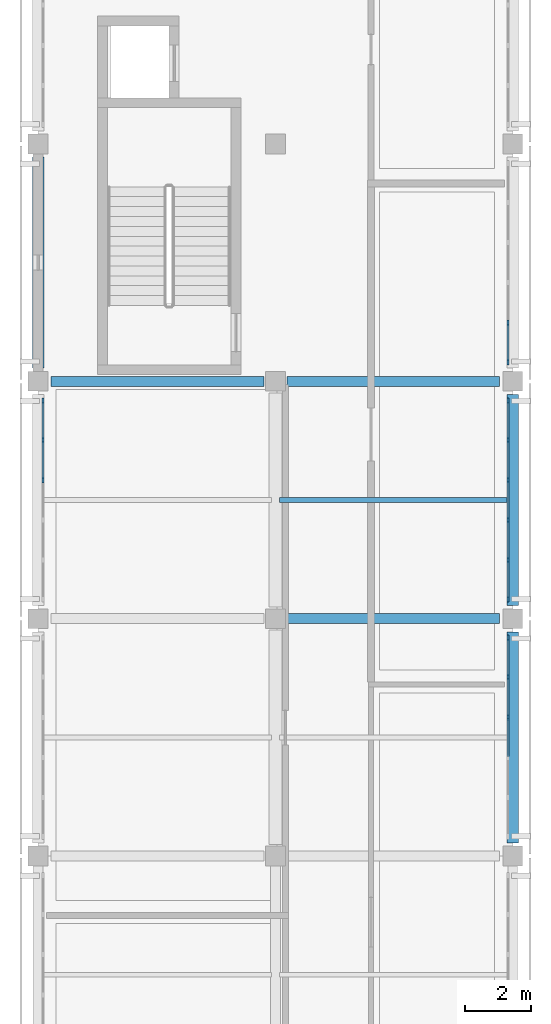
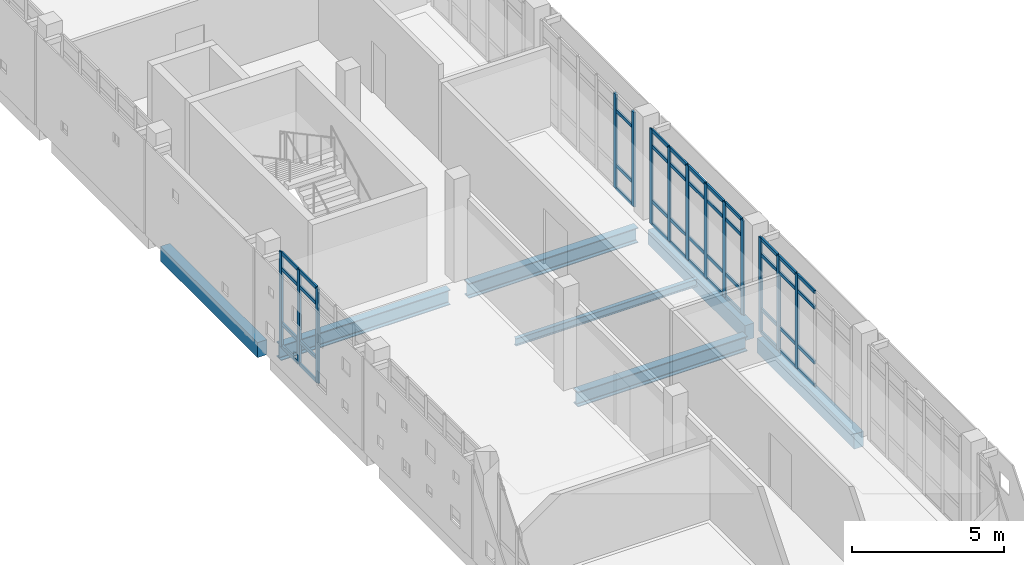
# One storey, part 7 of 21: 57 members, 7 beams, 4 elements without a shape of their own.
"""IFC4 building model written with IfcOpenShell, lengths in metres."""

import ifcopenshell
import ifcopenshell.guid

model = None  # the IFC model being written
_history = None  # IfcOwnerHistory: only IFC2X3 demands one
_inside = {}  # id of a spatial element -> (the spatial element, [elements in it])
_under = {}  # id of a project, library or spatial element -> (it, [spatial elements below it])
_declared = {}  # id of a project -> (the project, [libraries it declares])
_typed = {}  # id of a type object -> (the type object, [elements of that type])
_made_of = {}  # id of a material, layer set ... -> (it, [elements and type objects made of it])


def new_model(schema):
    """Start an empty IFC model of exactly this schema.

    Asked for "IFC4X3", IfcOpenShell would pick the latest addendum, in which some entities
    have other attributes; the version numbers below select the first issue.
    IFC2X3 requires an IfcOwnerHistory on every rooted entity: one is made here for all.
    """
    global model, _history
    if schema == "IFC4X3":
        model = ifcopenshell.file(schema_version=(4, 3, 0, 0))
    else:
        model = ifcopenshell.file(schema=schema)
    _inside.clear()
    _under.clear()
    _declared.clear()
    _typed.clear()
    _made_of.clear()
    _history = None
    if model.schema == "IFC2X3":
        org = make("IfcOrganization", Name="unknown")
        user = make(
            "IfcPersonAndOrganization",
            ThePerson=make("IfcPerson", FamilyName="unknown"),
            TheOrganization=org,
        )
        app = make(
            "IfcApplication",
            ApplicationDeveloper=org,
            Version="unknown",
            ApplicationFullName="unknown",
            ApplicationIdentifier="unknown",
        )
        _history = make(
            "IfcOwnerHistory",
            OwningUser=user,
            OwningApplication=app,
            ChangeAction="ADDED",
            CreationDate=0,
        )
    return model


def make(cls, **values):
    """One entity of the class cls with the attributes given. An attribute that is None is left unset."""
    return model.create_entity(
        cls, **{name: value for name, value in values.items() if value is not None}
    )


def rooted(cls, **values):
    """An entity with a GlobalId (a new one), such as an element, a storey or a relation."""
    return make(cls, GlobalId=ifcopenshell.guid.new(), OwnerHistory=_history, **values)


def si_unit(unit_type, name, prefix=None):
    """IfcSIUnit, for example si_unit("LENGTHUNIT", "METRE", prefix="MILLI")."""
    return make("IfcSIUnit", UnitType=unit_type, Prefix=prefix, Name=name)


def assignment(units):
    """IfcUnitAssignment: the units of a project."""
    return None if units is None else make("IfcUnitAssignment", Units=units)


def point(xyz):
    """IfcCartesianPoint."""
    return None if xyz is None else make("IfcCartesianPoint", Coordinates=xyz)


def direction(xyz):
    """IfcDirection."""
    return None if xyz is None else make("IfcDirection", DirectionRatios=xyz)


def frame(location, z_axis=None, x_axis=None):
    """IfcAxis2Placement3D, a coordinate frame: its origin and axes. An axis left out is left unset."""
    return make(
        "IfcAxis2Placement3D",
        Location=point(location),
        Axis=direction(z_axis),
        RefDirection=direction(x_axis),
    )


def frame_2d(location, x_axis=None):
    """IfcAxis2Placement2D, a coordinate frame in the plane: its origin and x axis."""
    return make(
        "IfcAxis2Placement2D", Location=point(location), RefDirection=direction(x_axis)
    )


def origin():
    """The frame at (0, 0, 0) with its axes left unset."""
    return frame((0.0, 0.0, 0.0))


def origin_2d():
    """The frame at (0, 0) in the plane with its x axis left unset."""
    return frame_2d((0.0, 0.0))


def place(relative_to, where):
    """IfcLocalPlacement: puts the frame where relative to a parent placement (None: the world)."""
    return make(
        "IfcLocalPlacement", PlacementRelTo=relative_to, RelativePlacement=where
    )


def context(
    kind, dimensions, precision=None, world=None, true_north=None, identifier=None
):
    """IfcGeometricRepresentationContext, for example the 3D "Model" context."""
    return make(
        "IfcGeometricRepresentationContext",
        ContextIdentifier=identifier,
        ContextType=kind,
        CoordinateSpaceDimension=dimensions,
        Precision=precision,
        WorldCoordinateSystem=world,
        TrueNorth=true_north,
    )


def subcontext(parent, identifier, kind, view, scale=None):
    """IfcGeometricRepresentationSubContext, for example "Body" below "Model"."""
    return make(
        "IfcGeometricRepresentationSubContext",
        ContextIdentifier=identifier,
        ContextType=kind,
        ParentContext=parent,
        TargetScale=scale,
        TargetView=view,
    )


def project(units=None, contexts=None):
    """IfcProject with its units and contexts."""
    return rooted(
        "IfcProject",
        Name="project",
        RepresentationContexts=contexts,
        UnitsInContext=assignment(units),
    )


def spatial(cls, under=None, at=None, **own):
    """A site, building, storey or space (cls), placed at a placement, below another one or the project."""
    s = rooted(cls, ObjectPlacement=at, **own)
    if under is not None:
        _under.setdefault(under.id(), (under, []))[1].append(s)
    return s


def profile(cls, at=None, kind="AREA", **sizes):
    """A parametric profile (cls). Its sizes go by their IFC names, for example OverallWidth=200.0."""
    return make(cls, ProfileType=kind, Position=at, **sizes)


def rectangle(**sizes):
    """IfcRectangleProfileDef."""
    return profile("IfcRectangleProfileDef", **sizes)


def i_section(**sizes):
    """IfcIShapeProfileDef."""
    return profile("IfcIShapeProfileDef", **sizes)


def extrude(swept, where, along, depth):
    """IfcExtrudedAreaSolid: the profile swept, set in the frame where, extruded along a direction by depth."""
    return make(
        "IfcExtrudedAreaSolid",
        SweptArea=swept,
        Position=where,
        ExtrudedDirection=direction(along),
        Depth=depth,
    )


def shape(context_of_items, identifier, shape_type, items):
    """IfcShapeRepresentation: the items that make up one representation, for example the "Body"."""
    return make(
        "IfcShapeRepresentation",
        ContextOfItems=context_of_items,
        RepresentationIdentifier=identifier,
        RepresentationType=shape_type,
        Items=items,
    )


def material(Name=None, Category=None):
    """IfcMaterial."""
    return make("IfcMaterial", Name=Name, Category=Category)


def layer(
    of_material, thickness, ventilated=None, Name=None, Category=None, Priority=None
):
    """IfcMaterialLayer: one layer of a wall or slab, of a material (None: an air gap)."""
    return make(
        "IfcMaterialLayer",
        Material=of_material,
        LayerThickness=thickness,
        IsVentilated=ventilated,
        Name=Name,
        Category=Category,
        Priority=Priority,
    )


def layer_set(layers, Name=None):
    """IfcMaterialLayerSet."""
    return make("IfcMaterialLayerSet", MaterialLayers=layers, LayerSetName=Name)


def material_profile(
    of_material, cross_section, Name=None, Category=None, Priority=None
):
    """IfcMaterialProfile: a cross section and its material."""
    return make(
        "IfcMaterialProfile",
        Name=Name,
        Material=of_material,
        Profile=cross_section,
        Priority=Priority,
        Category=Category,
    )


def profile_set(profiles, Name=None, composite=None):
    """IfcMaterialProfileSet."""
    return make(
        "IfcMaterialProfileSet",
        Name=Name,
        MaterialProfiles=profiles,
        CompositeProfile=composite,
    )


def made_of(thing, what):
    """Note that an element or type object is made of a material, layer set ...; save() writes the relation."""
    if what is not None:
        _made_of.setdefault(what.id(), (what, []))[1].append(thing)
    return thing


def type_object(cls, material=None, **own):
    """A type object (cls), such as IfcWallType, which elements share."""
    return made_of(rooted(cls, **own), material)


def element(
    cls,
    number,
    at=None,
    inside=None,
    cuts=None,
    type_object=None,
    material=None,
    context=None,
    identifier="Body",
    shape_type=None,
    held_by="IfcProductDefinitionShape",
    body=None,
    shapes=None,
    **own,
):
    """One element of the class cls, such as IfcWall. Its Tag is "e" and its number.

    at: its placement. inside: the storey or other place that contains it. cuts: it is an
    opening in that element (IfcRelVoidsElement). A single representation is given by context,
    identifier, shape_type and body (its items); several are given by shapes. held_by: the class
    of the entity that holds the representations. save() writes the other relations.
    """
    e = rooted(cls, Tag="e%d" % number, ObjectPlacement=at, **own)
    if body is not None:
        shapes = [shape(context, identifier, shape_type, body)]
    if shapes is not None:
        e.Representation = make(held_by, Representations=shapes)
    if inside is not None:
        _inside.setdefault(inside.id(), (inside, []))[1].append(e)
    if cuts is not None:
        rooted(
            "IfcRelVoidsElement", RelatingBuildingElement=cuts, RelatedOpeningElement=e
        )
    if type_object is not None:
        _typed.setdefault(type_object.id(), (type_object, []))[1].append(e)
    return made_of(e, material)


def aggregate(whole, parts):
    """IfcRelAggregates: a whole, such as a stair, and the parts it consists of."""
    return rooted("IfcRelAggregates", RelatingObject=whole, RelatedObjects=parts)


def save(model, path):
    """Write the relations noted so far, then the file.

    IfcRelAggregates (storeys below a building ...), IfcRelContainedInSpatialStructure (elements
    in a storey), IfcRelDefinesByType, IfcRelAssociatesMaterial and IfcRelDeclares: one each for
    every whole, place, type object, material and project.
    """
    for whole, parts in _under.values():
        aggregate(whole, parts)
    for where, things in _inside.values():
        rooted(
            "IfcRelContainedInSpatialStructure",
            RelatedElements=things,
            RelatingStructure=where,
        )
    for kind, things in _typed.values():
        rooted("IfcRelDefinesByType", RelatedObjects=things, RelatingType=kind)
    for what, things in _made_of.values():
        rooted("IfcRelAssociatesMaterial", RelatedObjects=things, RelatingMaterial=what)
    for by, libraries in _declared.values():
        rooted("IfcRelDeclares", RelatingContext=by, RelatedDefinitions=libraries)
    model.write(path)


model = new_model("IFC4")

# Units and contexts
model_context = context("Model", 3, precision=1e-05, world=origin(), true_north=direction((0.0, 1.0)))
body_context = subcontext(model_context, "Body", "Model", "MODEL_VIEW")
ifc_project = project(units=[si_unit("LENGTHUNIT", "METRE"), si_unit("AREAUNIT", "SQUARE_METRE"), si_unit("VOLUMEUNIT", "CUBIC_METRE"), si_unit("PLANEANGLEUNIT", "RADIAN"), si_unit("MASSUNIT", "GRAM", prefix="KILO")], contexts=[model_context])

# Site, building, storey
site_placement = place(None, origin())
site = spatial("IfcSite", under=ifc_project, at=site_placement, CompositionType="ELEMENT")
building_placement = place(site_placement, origin())
building = spatial("IfcBuilding", under=site, at=building_placement, Name="Valkovuoma Quantum and Materials Research Institute", CompositionType="ELEMENT")
storey_placement = place(building_placement, frame((0.0, 0.0, 29.760009765625)))
storey = spatial("IfcBuildingStorey", under=building, at=storey_placement, Name="L07", CompositionType="ELEMENT", Elevation=29.760009765625)

# Beams
ifc_material_1 = material(Name="Steel S355J2", Category="steel")
ifc_material_profile_1 = material_profile(ifc_material_1, i_section(OverallWidth=0.300048828125, OverallDepth=0.60009765625, WebThickness=0.015380859375, FlangeThickness=0.030029296875, FilletRadius=0.027099609375, at=origin_2d()), Name="Steel S355J2")
ifc_profile_set_1 = profile_set([ifc_material_profile_1], Name="Steel S355J2")
beam_type_1 = type_object("IfcBeamType", Name="Beam-B-HEB600", PredefinedType="BEAM", material=ifc_profile_set_1)
beam_1_placement = place(storey_placement, frame((7.550048828125, 64.800048828125, -0.64990234375), z_axis=(1.0, 0.0, 0.0), x_axis=(0.0, 1.0, 0.0)))
element("IfcBeam", 1, at=beam_1_placement, inside=storey, type_object=beam_type_1, Name="L07 beam X-2501", PredefinedType="BEAM", context=body_context, shape_type="SweptSolid", body=[
    extrude(i_section(OverallWidth=0.300048828125, OverallDepth=0.60009765625, WebThickness=0.015380859375, FlangeThickness=0.030029296875, FilletRadius=0.027099609375, at=origin_2d()), origin(), (0.0, 0.0, 1.0), 6.449951171875),
])
beam_2_placement = place(storey_placement, frame((0.39990234375, 72.0, -0.64990234375), z_axis=(1.0, 0.0, 0.0), x_axis=(0.0, 1.0, 0.0)))
element("IfcBeam", 2, at=beam_2_placement, inside=storey, type_object=beam_type_1, Name="L07 beam X-2502", PredefinedType="BEAM", context=body_context, shape_type="SweptSolid", body=[
    extrude(i_section(OverallWidth=0.300048828125, OverallDepth=0.60009765625, WebThickness=0.015380859375, FlangeThickness=0.030029296875, FilletRadius=0.027099609375, at=origin_2d()), origin(), (0.0, 0.0, 1.0), 6.4501953125),
])
beam_3_placement = place(storey_placement, frame((7.550048828125, 72.0, -0.64990234375), z_axis=(1.0, 0.0, 0.0), x_axis=(0.0, 1.0, 0.0)))
element("IfcBeam", 3, at=beam_3_placement, inside=storey, type_object=beam_type_1, Name="L07 beam X-2503", PredefinedType="BEAM", context=body_context, shape_type="SweptSolid", body=[
    extrude(i_section(OverallWidth=0.300048828125, OverallDepth=0.60009765625, WebThickness=0.015380859375, FlangeThickness=0.030029296875, FilletRadius=0.027099609375, at=origin_2d()), origin(), (0.0, 0.0, 1.0), 6.449951171875),
])
ifc_material_2 = material(Name="Steel S355J2", Category="steel")
ifc_material_profile_2 = material_profile(ifc_material_2, i_section(OverallWidth=0.14990234375, OverallDepth=0.300048828125, WebThickness=0.007080078125, FlangeThickness=0.0107421875, FilletRadius=0.014892578125, at=origin_2d()), Name="Steel S355J2")
ifc_profile_set_2 = profile_set([ifc_material_profile_2], Name="Steel S355J2")
beam_type_2 = type_object("IfcBeamType", Name="Beam-B-JST300", PredefinedType="JOIST", material=ifc_profile_set_2)
beam_4_placement = place(storey_placement, frame((7.320068359375, 68.39990234375, -0.5), z_axis=(1.0, 0.0, 0.0), x_axis=(0.0, 1.0, 0.0)))
element("IfcBeam", 4, at=beam_4_placement, inside=storey, type_object=beam_type_2, Name="L07 floor joist 2529", PredefinedType="JOIST", context=body_context, shape_type="SweptSolid", body=[
    extrude(i_section(OverallWidth=0.14990234375, OverallDepth=0.300048828125, WebThickness=0.007080078125, FlangeThickness=0.0107421875, FilletRadius=0.014892578125, at=origin_2d()), origin(), (0.0, 0.0, 1.0), 6.9599609375),
])
ifc_material_3 = material(Name="Concrete C40/50", Category="concrete")
ifc_material_profile_3 = material_profile(ifc_material_3, rectangle(XDim=0.35009765625, YDim=0.60009765625, at=origin_2d()), Name="Concrete C40/50")
ifc_profile_set_3 = profile_set([ifc_material_profile_3], Name="Concrete C40/50")
beam_type_3 = type_object("IfcBeamType", Name="Beam-B-SPN600", PredefinedType="SPANDREL", material=ifc_profile_set_3)
beam_5_placement = place(storey_placement, frame((0.0, 72.39990234375, -0.64990234375), z_axis=(0.0, 1.0, 0.0), x_axis=(-1.0, 0.0, 0.0)))
element("IfcBeam", 5, at=beam_5_placement, inside=storey, type_object=beam_type_3, Name="L07 beam Y-2510", PredefinedType="SPANDREL", context=body_context, shape_type="SweptSolid", body=[
    extrude(rectangle(XDim=0.35009765625, YDim=0.60009765625, at=origin_2d()), origin(), (0.0, 0.0, 1.0), 6.400146484375),
])
beam_6_placement = place(storey_placement, frame((14.39990234375, 58.0, -0.64990234375), z_axis=(0.0, 1.0, 0.0), x_axis=(-1.0, 0.0, 0.0)))
element("IfcBeam", 6, at=beam_6_placement, inside=storey, type_object=beam_type_3, Name="L07 beam Y-2516", PredefinedType="SPANDREL", context=body_context, shape_type="SweptSolid", body=[
    extrude(rectangle(XDim=0.35009765625, YDim=0.60009765625, at=origin_2d()), origin(), (0.0, 0.0, 1.0), 6.39990234375),
])
beam_7_placement = place(storey_placement, frame((14.39990234375, 65.199951171875, -0.64990234375), z_axis=(0.0, 1.0, 0.0), x_axis=(-1.0, 0.0, 0.0)))
element("IfcBeam", 7, at=beam_7_placement, inside=storey, type_object=beam_type_3, Name="L07 beam Y-2517", PredefinedType="SPANDREL", context=body_context, shape_type="SweptSolid", body=[
    extrude(rectangle(XDim=0.35009765625, YDim=0.60009765625, at=origin_2d()), origin(), (0.0, 0.0, 1.0), 6.400146484375),
])

# Curtain wall, members
ifc_material_4 = material(Name="Thermally broken aluminium and triple low-E glazing", Category="aluminium")
ifc_layer = layer(ifc_material_4, 0.219970703125)
ifc_layer_set = layer_set([ifc_layer], Name="Thermally broken aluminium and triple low-E glazing")
curtain_wall_type = type_object("IfcCurtainWallType", Name="CW-CW-01", PredefinedType="NOTDEFINED", material=ifc_layer_set)
curtain_wall_1_placement = place(storey_placement, origin())
curtain_wall_1 = element("IfcCurtainWall", 8, at=curtain_wall_1_placement, inside=storey, type_object=curtain_wall_type, Name="L07 curtain wall 101", PredefinedType="NOTDEFINED")
ifc_material_5 = material(Name="Anodised aluminium 6060-T66", Category="aluminium")
ifc_material_profile_4 = material_profile(ifc_material_5, rectangle(XDim=0.06494140625, YDim=0.179931640625, at=origin_2d()), Name="Anodised aluminium 6060-T66")
ifc_profile_set_4 = profile_set([ifc_material_profile_4], Name="Anodised aluminium 6060-T66")
member_type_1 = type_object("IfcMemberType", Name="CWMull-CWM-01", PredefinedType="MULLION", material=ifc_profile_set_4)
member_1_placement = place(storey_placement, frame((14.25, 61.80859375, 0.0), z_axis=(0.0, 0.0, 1.0), x_axis=(-1.0, 0.0, 0.0)))
member_1 = element("IfcMember", 9, at=member_1_placement, type_object=member_type_1, Name="CW-01 mullion 4", PredefinedType="MULLION", context=body_context, shape_type="SweptSolid", body=[
    extrude(rectangle(XDim=0.06494140625, YDim=0.179931640625, at=origin_2d()), origin(), (0.0, 0.0, 1.0), 3.81005859375),
])
member_2_placement = place(storey_placement, frame((14.25, 63.025634765625, 0.0), z_axis=(0.0, 0.0, 1.0), x_axis=(-1.0, 0.0, 0.0)))
member_2 = element("IfcMember", 10, at=member_2_placement, type_object=member_type_1, Name="CW-01 mullion 5", PredefinedType="MULLION", context=body_context, shape_type="SweptSolid", body=[
    extrude(rectangle(XDim=0.06494140625, YDim=0.179931640625, at=origin_2d()), origin(), (0.0, 0.0, 1.0), 3.81005859375),
])
member_3_placement = place(storey_placement, frame((14.25, 64.21044921875, 0.0), z_axis=(0.0, 0.0, 1.0), x_axis=(-1.0, 0.0, 0.0)))
member_3 = element("IfcMember", 11, at=member_3_placement, type_object=member_type_1, Name="CW-01 mullion 6", PredefinedType="MULLION", context=body_context, shape_type="SweptSolid", body=[
    extrude(rectangle(XDim=0.06494140625, YDim=0.179931640625, at=origin_2d()), origin(), (0.0, 0.0, 1.0), 3.81005859375),
])

curtain_wall_2_placement = place(storey_placement, origin())
curtain_wall_2 = element("IfcCurtainWall", 12, at=curtain_wall_2_placement, inside=storey, type_object=curtain_wall_type, Name="L07 curtain wall 102", PredefinedType="NOTDEFINED")
member_4_placement = place(storey_placement, frame((0.14990234375, 69.008544921875, 0.0), z_axis=(0.0, 0.0, 1.0), x_axis=(-1.0, 0.0, 0.0)))
member_4 = element("IfcMember", 13, at=member_4_placement, type_object=member_type_1, Name="CW-01 mullion 4", PredefinedType="MULLION", context=body_context, shape_type="SweptSolid", body=[
    extrude(rectangle(XDim=0.06494140625, YDim=0.179931640625, at=origin_2d()), origin(), (0.0, 0.0, 1.0), 3.81005859375),
])
member_5_placement = place(storey_placement, frame((0.14990234375, 70.225830078125, 0.0), z_axis=(0.0, 0.0, 1.0), x_axis=(-1.0, 0.0, 0.0)))
member_5 = element("IfcMember", 14, at=member_5_placement, type_object=member_type_1, Name="CW-01 mullion 5", PredefinedType="MULLION", context=body_context, shape_type="SweptSolid", body=[
    extrude(rectangle(XDim=0.06494140625, YDim=0.179931640625, at=origin_2d()), origin(), (0.0, 0.0, 1.0), 3.81005859375),
])
member_6_placement = place(storey_placement, frame((0.14990234375, 71.410400390625, 0.0), z_axis=(0.0, 0.0, 1.0), x_axis=(-1.0, 0.0, 0.0)))
member_6 = element("IfcMember", 15, at=member_6_placement, type_object=member_type_1, Name="CW-01 mullion 6", PredefinedType="MULLION", context=body_context, shape_type="SweptSolid", body=[
    extrude(rectangle(XDim=0.06494140625, YDim=0.179931640625, at=origin_2d()), origin(), (0.0, 0.0, 1.0), 3.81005859375),
])

curtain_wall_3_placement = place(storey_placement, origin())
curtain_wall_3 = element("IfcCurtainWall", 16, at=curtain_wall_3_placement, inside=storey, type_object=curtain_wall_type, Name="L07 curtain wall 103", PredefinedType="NOTDEFINED")
member_7_placement = place(storey_placement, frame((14.25, 65.3896484375, 0.0), z_axis=(0.0, 0.0, 1.0), x_axis=(-1.0, 0.0, 0.0)))
member_7 = element("IfcMember", 17, at=member_7_placement, type_object=member_type_1, Name="CW-01 mullion 1", PredefinedType="MULLION", context=body_context, shape_type="SweptSolid", body=[
    extrude(rectangle(XDim=0.06494140625, YDim=0.179931640625, at=origin_2d()), origin(), (0.0, 0.0, 1.0), 3.81005859375),
])
member_8_placement = place(storey_placement, frame((14.25, 66.57421875, 0.0), z_axis=(0.0, 0.0, 1.0), x_axis=(-1.0, 0.0, 0.0)))
member_8 = element("IfcMember", 18, at=member_8_placement, type_object=member_type_1, Name="CW-01 mullion 2", PredefinedType="MULLION", context=body_context, shape_type="SweptSolid", body=[
    extrude(rectangle(XDim=0.06494140625, YDim=0.179931640625, at=origin_2d()), origin(), (0.0, 0.0, 1.0), 3.81005859375),
])
member_9_placement = place(storey_placement, frame((14.25, 67.79150390625, 0.0), z_axis=(0.0, 0.0, 1.0), x_axis=(-1.0, 0.0, 0.0)))
member_9 = element("IfcMember", 19, at=member_9_placement, type_object=member_type_1, Name="CW-01 mullion 3", PredefinedType="MULLION", context=body_context, shape_type="SweptSolid", body=[
    extrude(rectangle(XDim=0.06494140625, YDim=0.179931640625, at=origin_2d()), origin(), (0.0, 0.0, 1.0), 3.81005859375),
])
member_10_placement = place(storey_placement, frame((14.25, 69.008544921875, 0.0), z_axis=(0.0, 0.0, 1.0), x_axis=(-1.0, 0.0, 0.0)))
member_10 = element("IfcMember", 20, at=member_10_placement, type_object=member_type_1, Name="CW-01 mullion 4", PredefinedType="MULLION", context=body_context, shape_type="SweptSolid", body=[
    extrude(rectangle(XDim=0.06494140625, YDim=0.179931640625, at=origin_2d()), origin(), (0.0, 0.0, 1.0), 3.81005859375),
])
member_11_placement = place(storey_placement, frame((14.25, 70.225830078125, 0.0), z_axis=(0.0, 0.0, 1.0), x_axis=(-1.0, 0.0, 0.0)))
member_11 = element("IfcMember", 21, at=member_11_placement, type_object=member_type_1, Name="CW-01 mullion 5", PredefinedType="MULLION", context=body_context, shape_type="SweptSolid", body=[
    extrude(rectangle(XDim=0.06494140625, YDim=0.179931640625, at=origin_2d()), origin(), (0.0, 0.0, 1.0), 3.81005859375),
])
member_12_placement = place(storey_placement, frame((14.25, 71.410400390625, 0.0), z_axis=(0.0, 0.0, 1.0), x_axis=(-1.0, 0.0, 0.0)))
member_12 = element("IfcMember", 22, at=member_12_placement, type_object=member_type_1, Name="CW-01 mullion 6", PredefinedType="MULLION", context=body_context, shape_type="SweptSolid", body=[
    extrude(rectangle(XDim=0.06494140625, YDim=0.179931640625, at=origin_2d()), origin(), (0.0, 0.0, 1.0), 3.81005859375),
])

curtain_wall_4_placement = place(storey_placement, origin())
curtain_wall_4 = element("IfcCurtainWall", 23, at=curtain_wall_4_placement, inside=storey, type_object=curtain_wall_type, Name="L07 curtain wall 104", PredefinedType="NOTDEFINED")
member_13_placement = place(storey_placement, frame((14.25, 72.589599609375, 0.0), z_axis=(0.0, 0.0, 1.0), x_axis=(-1.0, 0.0, 0.0)))
member_13 = element("IfcMember", 24, at=member_13_placement, type_object=member_type_1, Name="CW-01 mullion 1", PredefinedType="MULLION", context=body_context, shape_type="SweptSolid", body=[
    extrude(rectangle(XDim=0.06494140625, YDim=0.179931640625, at=origin_2d()), origin(), (0.0, 0.0, 1.0), 3.81005859375),
])
member_14_placement = place(storey_placement, frame((14.25, 73.774169921875, 0.0), z_axis=(0.0, 0.0, 1.0), x_axis=(-1.0, 0.0, 0.0)))
member_14 = element("IfcMember", 25, at=member_14_placement, type_object=member_type_1, Name="CW-01 mullion 2", PredefinedType="MULLION", context=body_context, shape_type="SweptSolid", body=[
    extrude(rectangle(XDim=0.06494140625, YDim=0.179931640625, at=origin_2d()), origin(), (0.0, 0.0, 1.0), 3.81005859375),
])

# Member
ifc_material_6 = material(Name="Anodised aluminium 6060-T66", Category="aluminium")
ifc_material_profile_5 = material_profile(ifc_material_6, rectangle(XDim=0.06494140625, YDim=0.139892578125, at=origin_2d()), Name="Anodised aluminium 6060-T66")
ifc_profile_set_5 = profile_set([ifc_material_profile_5], Name="Anodised aluminium 6060-T66")
member_type_2 = type_object("IfcMemberType", Name="CWTran-CWT-01", PredefinedType="USERDEFINED", material=ifc_profile_set_5)
member_15_placement = place(storey_placement, frame((14.25, 60.6240234375, 0.032470703125), z_axis=(0.0, 1.0, 0.0), x_axis=(-1.0, 0.0, 0.0)))
member_15 = element("IfcMember", 26, at=member_15_placement, type_object=member_type_2, Name="CW-01 transom 3.1", ObjectType="TRANSOM", PredefinedType="USERDEFINED", context=body_context, shape_type="SweptSolid", body=[
    extrude(rectangle(XDim=0.06494140625, YDim=0.139892578125, at=origin_2d()), origin(), (0.0, 0.0, 1.0), 1.152099609375),
])

member_16_placement = place(storey_placement, frame((14.25, 60.6240234375, 0.949951171875), z_axis=(0.0, 1.0, 0.0), x_axis=(-1.0, 0.0, 0.0)))
member_16 = element("IfcMember", 27, at=member_16_placement, type_object=member_type_2, Name="CW-01 transom 3.2", ObjectType="TRANSOM", PredefinedType="USERDEFINED", context=body_context, shape_type="SweptSolid", body=[
    extrude(rectangle(XDim=0.06494140625, YDim=0.139892578125, at=origin_2d()), origin(), (0.0, 0.0, 1.0), 1.152099609375),
])

member_17_placement = place(storey_placement, frame((14.25, 60.6240234375, 3.159912109375), z_axis=(0.0, 1.0, 0.0), x_axis=(-1.0, 0.0, 0.0)))
member_17 = element("IfcMember", 28, at=member_17_placement, type_object=member_type_2, Name="CW-01 transom 3.3", ObjectType="TRANSOM", PredefinedType="USERDEFINED", context=body_context, shape_type="SweptSolid", body=[
    extrude(rectangle(XDim=0.06494140625, YDim=0.139892578125, at=origin_2d()), origin(), (0.0, 0.0, 1.0), 1.152099609375),
])

member_18_placement = place(storey_placement, frame((14.25, 60.6240234375, 3.777587890625), z_axis=(0.0, 1.0, 0.0), x_axis=(-1.0, 0.0, 0.0)))
member_18 = element("IfcMember", 29, at=member_18_placement, type_object=member_type_2, Name="CW-01 transom 3.4", ObjectType="TRANSOM", PredefinedType="USERDEFINED", context=body_context, shape_type="SweptSolid", body=[
    extrude(rectangle(XDim=0.06494140625, YDim=0.139892578125, at=origin_2d()), origin(), (0.0, 0.0, 1.0), 1.152099609375),
])

member_19_placement = place(storey_placement, frame((14.25, 61.841064453125, 0.032470703125), z_axis=(0.0, 1.0, 0.0), x_axis=(-1.0, 0.0, 0.0)))
member_19 = element("IfcMember", 30, at=member_19_placement, type_object=member_type_2, Name="CW-01 transom 4.1", ObjectType="TRANSOM", PredefinedType="USERDEFINED", context=body_context, shape_type="SweptSolid", body=[
    extrude(rectangle(XDim=0.06494140625, YDim=0.139892578125, at=origin_2d()), origin(), (0.0, 0.0, 1.0), 1.152099609375),
])

member_20_placement = place(storey_placement, frame((14.25, 61.841064453125, 0.949951171875), z_axis=(0.0, 1.0, 0.0), x_axis=(-1.0, 0.0, 0.0)))
member_20 = element("IfcMember", 31, at=member_20_placement, type_object=member_type_2, Name="CW-01 transom 4.2", ObjectType="TRANSOM", PredefinedType="USERDEFINED", context=body_context, shape_type="SweptSolid", body=[
    extrude(rectangle(XDim=0.06494140625, YDim=0.139892578125, at=origin_2d()), origin(), (0.0, 0.0, 1.0), 1.152099609375),
])

member_21_placement = place(storey_placement, frame((14.25, 61.841064453125, 3.159912109375), z_axis=(0.0, 1.0, 0.0), x_axis=(-1.0, 0.0, 0.0)))
member_21 = element("IfcMember", 32, at=member_21_placement, type_object=member_type_2, Name="CW-01 transom 4.3", ObjectType="TRANSOM", PredefinedType="USERDEFINED", context=body_context, shape_type="SweptSolid", body=[
    extrude(rectangle(XDim=0.06494140625, YDim=0.139892578125, at=origin_2d()), origin(), (0.0, 0.0, 1.0), 1.152099609375),
])

member_22_placement = place(storey_placement, frame((14.25, 61.841064453125, 3.777587890625), z_axis=(0.0, 1.0, 0.0), x_axis=(-1.0, 0.0, 0.0)))
member_22 = element("IfcMember", 33, at=member_22_placement, type_object=member_type_2, Name="CW-01 transom 4.4", ObjectType="TRANSOM", PredefinedType="USERDEFINED", context=body_context, shape_type="SweptSolid", body=[
    extrude(rectangle(XDim=0.06494140625, YDim=0.139892578125, at=origin_2d()), origin(), (0.0, 0.0, 1.0), 1.152099609375),
])

member_23_placement = place(storey_placement, frame((14.25, 63.058349609375, 0.032470703125), z_axis=(0.0, 1.0, 0.0), x_axis=(-1.0, 0.0, 0.0)))
member_23 = element("IfcMember", 34, at=member_23_placement, type_object=member_type_2, Name="CW-01 transom 5.1", ObjectType="TRANSOM", PredefinedType="USERDEFINED", context=body_context, shape_type="SweptSolid", body=[
    extrude(rectangle(XDim=0.06494140625, YDim=0.139892578125, at=origin_2d()), origin(), (0.0, 0.0, 1.0), 1.11962890625),
])

member_24_placement = place(storey_placement, frame((14.25, 63.058349609375, 0.949951171875), z_axis=(0.0, 1.0, 0.0), x_axis=(-1.0, 0.0, 0.0)))
member_24 = element("IfcMember", 35, at=member_24_placement, type_object=member_type_2, Name="CW-01 transom 5.2", ObjectType="TRANSOM", PredefinedType="USERDEFINED", context=body_context, shape_type="SweptSolid", body=[
    extrude(rectangle(XDim=0.06494140625, YDim=0.139892578125, at=origin_2d()), origin(), (0.0, 0.0, 1.0), 1.11962890625),
])

member_25_placement = place(storey_placement, frame((14.25, 63.058349609375, 3.159912109375), z_axis=(0.0, 1.0, 0.0), x_axis=(-1.0, 0.0, 0.0)))
member_25 = element("IfcMember", 36, at=member_25_placement, type_object=member_type_2, Name="CW-01 transom 5.3", ObjectType="TRANSOM", PredefinedType="USERDEFINED", context=body_context, shape_type="SweptSolid", body=[
    extrude(rectangle(XDim=0.06494140625, YDim=0.139892578125, at=origin_2d()), origin(), (0.0, 0.0, 1.0), 1.11962890625),
])

member_26_placement = place(storey_placement, frame((14.25, 63.058349609375, 3.777587890625), z_axis=(0.0, 1.0, 0.0), x_axis=(-1.0, 0.0, 0.0)))
member_26 = element("IfcMember", 37, at=member_26_placement, type_object=member_type_2, Name="CW-01 transom 5.4", ObjectType="TRANSOM", PredefinedType="USERDEFINED", context=body_context, shape_type="SweptSolid", body=[
    extrude(rectangle(XDim=0.06494140625, YDim=0.139892578125, at=origin_2d()), origin(), (0.0, 0.0, 1.0), 1.11962890625),
])

aggregate(curtain_wall_1, [member_1, member_2, member_3, member_15, member_16, member_17, member_18, member_19, member_20, member_21, member_22, member_23, member_24, member_25, member_26])

member_27_placement = place(storey_placement, frame((0.14990234375, 69.041015625, 0.032470703125), z_axis=(0.0, 1.0, 0.0), x_axis=(-1.0, 0.0, 0.0)))
member_27 = element("IfcMember", 38, at=member_27_placement, type_object=member_type_2, Name="CW-01 transom 4.1", ObjectType="TRANSOM", PredefinedType="USERDEFINED", context=body_context, shape_type="SweptSolid", body=[
    extrude(rectangle(XDim=0.06494140625, YDim=0.139892578125, at=origin_2d()), origin(), (0.0, 0.0, 1.0), 1.15234375),
])

member_28_placement = place(storey_placement, frame((0.14990234375, 69.041015625, 0.949951171875), z_axis=(0.0, 1.0, 0.0), x_axis=(-1.0, 0.0, 0.0)))
member_28 = element("IfcMember", 39, at=member_28_placement, type_object=member_type_2, Name="CW-01 transom 4.2", ObjectType="TRANSOM", PredefinedType="USERDEFINED", context=body_context, shape_type="SweptSolid", body=[
    extrude(rectangle(XDim=0.06494140625, YDim=0.139892578125, at=origin_2d()), origin(), (0.0, 0.0, 1.0), 1.15234375),
])

member_29_placement = place(storey_placement, frame((0.14990234375, 69.041015625, 3.159912109375), z_axis=(0.0, 1.0, 0.0), x_axis=(-1.0, 0.0, 0.0)))
member_29 = element("IfcMember", 40, at=member_29_placement, type_object=member_type_2, Name="CW-01 transom 4.3", ObjectType="TRANSOM", PredefinedType="USERDEFINED", context=body_context, shape_type="SweptSolid", body=[
    extrude(rectangle(XDim=0.06494140625, YDim=0.139892578125, at=origin_2d()), origin(), (0.0, 0.0, 1.0), 1.15234375),
])

member_30_placement = place(storey_placement, frame((0.14990234375, 69.041015625, 3.777587890625), z_axis=(0.0, 1.0, 0.0), x_axis=(-1.0, 0.0, 0.0)))
member_30 = element("IfcMember", 41, at=member_30_placement, type_object=member_type_2, Name="CW-01 transom 4.4", ObjectType="TRANSOM", PredefinedType="USERDEFINED", context=body_context, shape_type="SweptSolid", body=[
    extrude(rectangle(XDim=0.06494140625, YDim=0.139892578125, at=origin_2d()), origin(), (0.0, 0.0, 1.0), 1.15234375),
])

member_31_placement = place(storey_placement, frame((0.14990234375, 70.25830078125, 0.032470703125), z_axis=(0.0, 1.0, 0.0), x_axis=(-1.0, 0.0, 0.0)))
member_31 = element("IfcMember", 42, at=member_31_placement, type_object=member_type_2, Name="CW-01 transom 5.1", ObjectType="TRANSOM", PredefinedType="USERDEFINED", context=body_context, shape_type="SweptSolid", body=[
    extrude(rectangle(XDim=0.06494140625, YDim=0.139892578125, at=origin_2d()), origin(), (0.0, 0.0, 1.0), 1.11962890625),
])

member_32_placement = place(storey_placement, frame((0.14990234375, 70.25830078125, 0.949951171875), z_axis=(0.0, 1.0, 0.0), x_axis=(-1.0, 0.0, 0.0)))
member_32 = element("IfcMember", 43, at=member_32_placement, type_object=member_type_2, Name="CW-01 transom 5.2", ObjectType="TRANSOM", PredefinedType="USERDEFINED", context=body_context, shape_type="SweptSolid", body=[
    extrude(rectangle(XDim=0.06494140625, YDim=0.139892578125, at=origin_2d()), origin(), (0.0, 0.0, 1.0), 1.11962890625),
])

member_33_placement = place(storey_placement, frame((0.14990234375, 70.25830078125, 3.159912109375), z_axis=(0.0, 1.0, 0.0), x_axis=(-1.0, 0.0, 0.0)))
member_33 = element("IfcMember", 44, at=member_33_placement, type_object=member_type_2, Name="CW-01 transom 5.3", ObjectType="TRANSOM", PredefinedType="USERDEFINED", context=body_context, shape_type="SweptSolid", body=[
    extrude(rectangle(XDim=0.06494140625, YDim=0.139892578125, at=origin_2d()), origin(), (0.0, 0.0, 1.0), 1.11962890625),
])

member_34_placement = place(storey_placement, frame((0.14990234375, 70.25830078125, 3.777587890625), z_axis=(0.0, 1.0, 0.0), x_axis=(-1.0, 0.0, 0.0)))
member_34 = element("IfcMember", 45, at=member_34_placement, type_object=member_type_2, Name="CW-01 transom 5.4", ObjectType="TRANSOM", PredefinedType="USERDEFINED", context=body_context, shape_type="SweptSolid", body=[
    extrude(rectangle(XDim=0.06494140625, YDim=0.139892578125, at=origin_2d()), origin(), (0.0, 0.0, 1.0), 1.11962890625),
])

aggregate(curtain_wall_2, [member_4, member_5, member_6, member_27, member_28, member_29, member_30, member_31, member_32, member_33, member_34])

member_35_placement = place(storey_placement, frame((14.25, 65.422119140625, 0.032470703125), z_axis=(0.0, 1.0, 0.0), x_axis=(-1.0, 0.0, 0.0)))
member_35 = element("IfcMember", 46, at=member_35_placement, type_object=member_type_2, Name="CW-01 transom 1.1", ObjectType="TRANSOM", PredefinedType="USERDEFINED", context=body_context, shape_type="SweptSolid", body=[
    extrude(rectangle(XDim=0.06494140625, YDim=0.139892578125, at=origin_2d()), origin(), (0.0, 0.0, 1.0), 1.11962890625),
])

member_36_placement = place(storey_placement, frame((14.25, 65.422119140625, 0.949951171875), z_axis=(0.0, 1.0, 0.0), x_axis=(-1.0, 0.0, 0.0)))
member_36 = element("IfcMember", 47, at=member_36_placement, type_object=member_type_2, Name="CW-01 transom 1.2", ObjectType="TRANSOM", PredefinedType="USERDEFINED", context=body_context, shape_type="SweptSolid", body=[
    extrude(rectangle(XDim=0.06494140625, YDim=0.139892578125, at=origin_2d()), origin(), (0.0, 0.0, 1.0), 1.11962890625),
])

member_37_placement = place(storey_placement, frame((14.25, 65.422119140625, 3.159912109375), z_axis=(0.0, 1.0, 0.0), x_axis=(-1.0, 0.0, 0.0)))
member_37 = element("IfcMember", 48, at=member_37_placement, type_object=member_type_2, Name="CW-01 transom 1.3", ObjectType="TRANSOM", PredefinedType="USERDEFINED", context=body_context, shape_type="SweptSolid", body=[
    extrude(rectangle(XDim=0.06494140625, YDim=0.139892578125, at=origin_2d()), origin(), (0.0, 0.0, 1.0), 1.11962890625),
])

member_38_placement = place(storey_placement, frame((14.25, 65.422119140625, 3.777587890625), z_axis=(0.0, 1.0, 0.0), x_axis=(-1.0, 0.0, 0.0)))
member_38 = element("IfcMember", 49, at=member_38_placement, type_object=member_type_2, Name="CW-01 transom 1.4", ObjectType="TRANSOM", PredefinedType="USERDEFINED", context=body_context, shape_type="SweptSolid", body=[
    extrude(rectangle(XDim=0.06494140625, YDim=0.139892578125, at=origin_2d()), origin(), (0.0, 0.0, 1.0), 1.11962890625),
])

member_39_placement = place(storey_placement, frame((14.25, 66.606689453125, 0.032470703125), z_axis=(0.0, 1.0, 0.0), x_axis=(-1.0, 0.0, 0.0)))
member_39 = element("IfcMember", 50, at=member_39_placement, type_object=member_type_2, Name="CW-01 transom 2.1", ObjectType="TRANSOM", PredefinedType="USERDEFINED", context=body_context, shape_type="SweptSolid", body=[
    extrude(rectangle(XDim=0.06494140625, YDim=0.139892578125, at=origin_2d()), origin(), (0.0, 0.0, 1.0), 1.15234375),
])

member_40_placement = place(storey_placement, frame((14.25, 66.606689453125, 0.949951171875), z_axis=(0.0, 1.0, 0.0), x_axis=(-1.0, 0.0, 0.0)))
member_40 = element("IfcMember", 51, at=member_40_placement, type_object=member_type_2, Name="CW-01 transom 2.2", ObjectType="TRANSOM", PredefinedType="USERDEFINED", context=body_context, shape_type="SweptSolid", body=[
    extrude(rectangle(XDim=0.06494140625, YDim=0.139892578125, at=origin_2d()), origin(), (0.0, 0.0, 1.0), 1.15234375),
])

member_41_placement = place(storey_placement, frame((14.25, 66.606689453125, 3.159912109375), z_axis=(0.0, 1.0, 0.0), x_axis=(-1.0, 0.0, 0.0)))
member_41 = element("IfcMember", 52, at=member_41_placement, type_object=member_type_2, Name="CW-01 transom 2.3", ObjectType="TRANSOM", PredefinedType="USERDEFINED", context=body_context, shape_type="SweptSolid", body=[
    extrude(rectangle(XDim=0.06494140625, YDim=0.139892578125, at=origin_2d()), origin(), (0.0, 0.0, 1.0), 1.15234375),
])

member_42_placement = place(storey_placement, frame((14.25, 66.606689453125, 3.777587890625), z_axis=(0.0, 1.0, 0.0), x_axis=(-1.0, 0.0, 0.0)))
member_42 = element("IfcMember", 53, at=member_42_placement, type_object=member_type_2, Name="CW-01 transom 2.4", ObjectType="TRANSOM", PredefinedType="USERDEFINED", context=body_context, shape_type="SweptSolid", body=[
    extrude(rectangle(XDim=0.06494140625, YDim=0.139892578125, at=origin_2d()), origin(), (0.0, 0.0, 1.0), 1.15234375),
])

member_43_placement = place(storey_placement, frame((14.25, 67.823974609375, 0.032470703125), z_axis=(0.0, 1.0, 0.0), x_axis=(-1.0, 0.0, 0.0)))
member_43 = element("IfcMember", 54, at=member_43_placement, type_object=member_type_2, Name="CW-01 transom 3.1", ObjectType="TRANSOM", PredefinedType="USERDEFINED", context=body_context, shape_type="SweptSolid", body=[
    extrude(rectangle(XDim=0.06494140625, YDim=0.139892578125, at=origin_2d()), origin(), (0.0, 0.0, 1.0), 1.152099609375),
])

member_44_placement = place(storey_placement, frame((14.25, 67.823974609375, 0.949951171875), z_axis=(0.0, 1.0, 0.0), x_axis=(-1.0, 0.0, 0.0)))
member_44 = element("IfcMember", 55, at=member_44_placement, type_object=member_type_2, Name="CW-01 transom 3.2", ObjectType="TRANSOM", PredefinedType="USERDEFINED", context=body_context, shape_type="SweptSolid", body=[
    extrude(rectangle(XDim=0.06494140625, YDim=0.139892578125, at=origin_2d()), origin(), (0.0, 0.0, 1.0), 1.152099609375),
])

member_45_placement = place(storey_placement, frame((14.25, 67.823974609375, 3.159912109375), z_axis=(0.0, 1.0, 0.0), x_axis=(-1.0, 0.0, 0.0)))
member_45 = element("IfcMember", 56, at=member_45_placement, type_object=member_type_2, Name="CW-01 transom 3.3", ObjectType="TRANSOM", PredefinedType="USERDEFINED", context=body_context, shape_type="SweptSolid", body=[
    extrude(rectangle(XDim=0.06494140625, YDim=0.139892578125, at=origin_2d()), origin(), (0.0, 0.0, 1.0), 1.152099609375),
])

member_46_placement = place(storey_placement, frame((14.25, 67.823974609375, 3.777587890625), z_axis=(0.0, 1.0, 0.0), x_axis=(-1.0, 0.0, 0.0)))
member_46 = element("IfcMember", 57, at=member_46_placement, type_object=member_type_2, Name="CW-01 transom 3.4", ObjectType="TRANSOM", PredefinedType="USERDEFINED", context=body_context, shape_type="SweptSolid", body=[
    extrude(rectangle(XDim=0.06494140625, YDim=0.139892578125, at=origin_2d()), origin(), (0.0, 0.0, 1.0), 1.152099609375),
])

member_47_placement = place(storey_placement, frame((14.25, 69.041015625, 0.032470703125), z_axis=(0.0, 1.0, 0.0), x_axis=(-1.0, 0.0, 0.0)))
member_47 = element("IfcMember", 58, at=member_47_placement, type_object=member_type_2, Name="CW-01 transom 4.1", ObjectType="TRANSOM", PredefinedType="USERDEFINED", context=body_context, shape_type="SweptSolid", body=[
    extrude(rectangle(XDim=0.06494140625, YDim=0.139892578125, at=origin_2d()), origin(), (0.0, 0.0, 1.0), 1.15234375),
])

member_48_placement = place(storey_placement, frame((14.25, 69.041015625, 0.949951171875), z_axis=(0.0, 1.0, 0.0), x_axis=(-1.0, 0.0, 0.0)))
member_48 = element("IfcMember", 59, at=member_48_placement, type_object=member_type_2, Name="CW-01 transom 4.2", ObjectType="TRANSOM", PredefinedType="USERDEFINED", context=body_context, shape_type="SweptSolid", body=[
    extrude(rectangle(XDim=0.06494140625, YDim=0.139892578125, at=origin_2d()), origin(), (0.0, 0.0, 1.0), 1.15234375),
])

member_49_placement = place(storey_placement, frame((14.25, 69.041015625, 3.159912109375), z_axis=(0.0, 1.0, 0.0), x_axis=(-1.0, 0.0, 0.0)))
member_49 = element("IfcMember", 60, at=member_49_placement, type_object=member_type_2, Name="CW-01 transom 4.3", ObjectType="TRANSOM", PredefinedType="USERDEFINED", context=body_context, shape_type="SweptSolid", body=[
    extrude(rectangle(XDim=0.06494140625, YDim=0.139892578125, at=origin_2d()), origin(), (0.0, 0.0, 1.0), 1.15234375),
])

member_50_placement = place(storey_placement, frame((14.25, 69.041015625, 3.777587890625), z_axis=(0.0, 1.0, 0.0), x_axis=(-1.0, 0.0, 0.0)))
member_50 = element("IfcMember", 61, at=member_50_placement, type_object=member_type_2, Name="CW-01 transom 4.4", ObjectType="TRANSOM", PredefinedType="USERDEFINED", context=body_context, shape_type="SweptSolid", body=[
    extrude(rectangle(XDim=0.06494140625, YDim=0.139892578125, at=origin_2d()), origin(), (0.0, 0.0, 1.0), 1.15234375),
])

member_51_placement = place(storey_placement, frame((14.25, 70.25830078125, 0.032470703125), z_axis=(0.0, 1.0, 0.0), x_axis=(-1.0, 0.0, 0.0)))
member_51 = element("IfcMember", 62, at=member_51_placement, type_object=member_type_2, Name="CW-01 transom 5.1", ObjectType="TRANSOM", PredefinedType="USERDEFINED", context=body_context, shape_type="SweptSolid", body=[
    extrude(rectangle(XDim=0.06494140625, YDim=0.139892578125, at=origin_2d()), origin(), (0.0, 0.0, 1.0), 1.11962890625),
])

member_52_placement = place(storey_placement, frame((14.25, 70.25830078125, 0.949951171875), z_axis=(0.0, 1.0, 0.0), x_axis=(-1.0, 0.0, 0.0)))
member_52 = element("IfcMember", 63, at=member_52_placement, type_object=member_type_2, Name="CW-01 transom 5.2", ObjectType="TRANSOM", PredefinedType="USERDEFINED", context=body_context, shape_type="SweptSolid", body=[
    extrude(rectangle(XDim=0.06494140625, YDim=0.139892578125, at=origin_2d()), origin(), (0.0, 0.0, 1.0), 1.11962890625),
])

member_53_placement = place(storey_placement, frame((14.25, 70.25830078125, 3.159912109375), z_axis=(0.0, 1.0, 0.0), x_axis=(-1.0, 0.0, 0.0)))
member_53 = element("IfcMember", 64, at=member_53_placement, type_object=member_type_2, Name="CW-01 transom 5.3", ObjectType="TRANSOM", PredefinedType="USERDEFINED", context=body_context, shape_type="SweptSolid", body=[
    extrude(rectangle(XDim=0.06494140625, YDim=0.139892578125, at=origin_2d()), origin(), (0.0, 0.0, 1.0), 1.11962890625),
])

member_54_placement = place(storey_placement, frame((14.25, 70.25830078125, 3.777587890625), z_axis=(0.0, 1.0, 0.0), x_axis=(-1.0, 0.0, 0.0)))
member_54 = element("IfcMember", 65, at=member_54_placement, type_object=member_type_2, Name="CW-01 transom 5.4", ObjectType="TRANSOM", PredefinedType="USERDEFINED", context=body_context, shape_type="SweptSolid", body=[
    extrude(rectangle(XDim=0.06494140625, YDim=0.139892578125, at=origin_2d()), origin(), (0.0, 0.0, 1.0), 1.11962890625),
])

aggregate(curtain_wall_3, [member_7, member_8, member_9, member_10, member_11, member_12, member_35, member_36, member_37, member_38, member_39, member_40, member_41, member_42, member_43, member_44, member_45, member_46, member_47, member_48, member_49, member_50, member_51, member_52, member_53, member_54])

member_55_placement = place(storey_placement, frame((14.25, 72.6220703125, 0.032470703125), z_axis=(0.0, 1.0, 0.0), x_axis=(-1.0, 0.0, 0.0)))
member_55 = element("IfcMember", 66, at=member_55_placement, type_object=member_type_2, Name="CW-01 transom 1.1", ObjectType="TRANSOM", PredefinedType="USERDEFINED", context=body_context, shape_type="SweptSolid", body=[
    extrude(rectangle(XDim=0.06494140625, YDim=0.139892578125, at=origin_2d()), origin(), (0.0, 0.0, 1.0), 1.11962890625),
])

member_56_placement = place(storey_placement, frame((14.25, 72.6220703125, 0.949951171875), z_axis=(0.0, 1.0, 0.0), x_axis=(-1.0, 0.0, 0.0)))
member_56 = element("IfcMember", 67, at=member_56_placement, type_object=member_type_2, Name="CW-01 transom 1.2", ObjectType="TRANSOM", PredefinedType="USERDEFINED", context=body_context, shape_type="SweptSolid", body=[
    extrude(rectangle(XDim=0.06494140625, YDim=0.139892578125, at=origin_2d()), origin(), (0.0, 0.0, 1.0), 1.11962890625),
])

member_57_placement = place(storey_placement, frame((14.25, 72.6220703125, 3.159912109375), z_axis=(0.0, 1.0, 0.0), x_axis=(-1.0, 0.0, 0.0)))
member_57 = element("IfcMember", 68, at=member_57_placement, type_object=member_type_2, Name="CW-01 transom 1.3", ObjectType="TRANSOM", PredefinedType="USERDEFINED", context=body_context, shape_type="SweptSolid", body=[
    extrude(rectangle(XDim=0.06494140625, YDim=0.139892578125, at=origin_2d()), origin(), (0.0, 0.0, 1.0), 1.11962890625),
])

aggregate(curtain_wall_4, [member_13, member_14, member_55, member_56, member_57])

save(model, "model.ifc")
